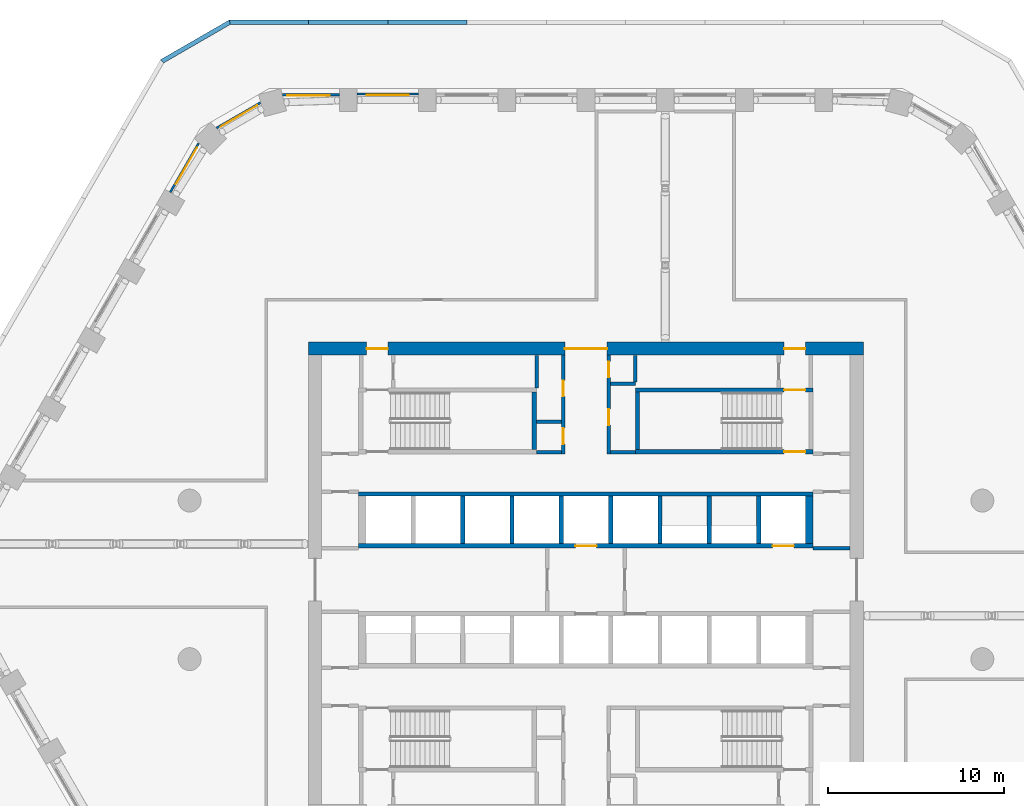
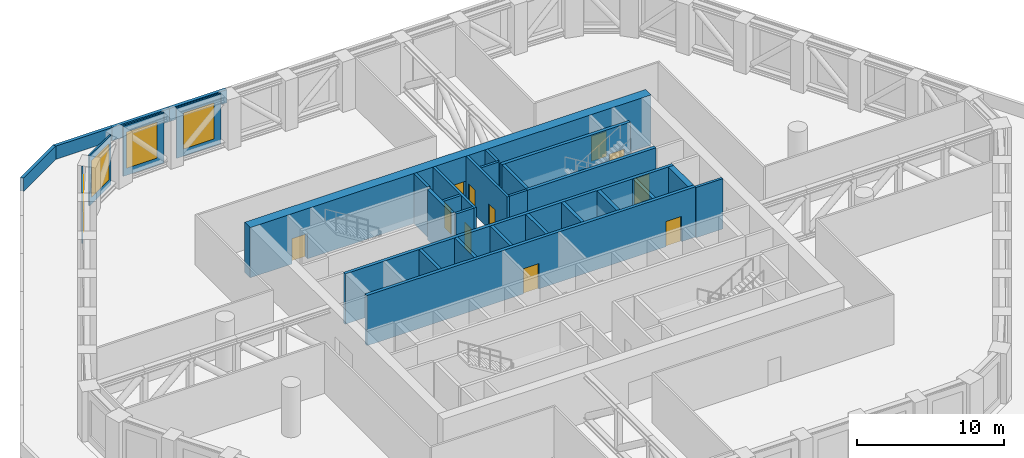
# One storey, part 9 of 18: 32 walls, 11 doors, 4 windows, 15 openings.
"""IFC4 building model written with IfcOpenShell, lengths in metres."""

from ifc_helpers import new_model, si_unit, direction, frame, frame_2d, origin, place, context, subcontext, project, spatial, polyline, rectangle, outline, extrude, material, layer, layer_set, type_object, element, fill, save


model = new_model("IFC4")

# Units and contexts
model_context = context("Model", 3, precision=1e-05, world=origin(), true_north=direction((0.0, 1.0)))
body_context = subcontext(model_context, "Body", "Model", "MODEL_VIEW")
ifc_project = project(units=[si_unit("LENGTHUNIT", "METRE"), si_unit("AREAUNIT", "SQUARE_METRE"), si_unit("VOLUMEUNIT", "CUBIC_METRE"), si_unit("PLANEANGLEUNIT", "RADIAN"), si_unit("MASSUNIT", "GRAM", prefix="KILO")], contexts=[model_context])

# Site, building, storey
site_placement = place(None, origin())
site = spatial("IfcSite", under=ifc_project, at=site_placement, CompositionType="ELEMENT")
building_placement = place(site_placement, origin())
building = spatial("IfcBuilding", under=site, at=building_placement, Name="Dhurran Vertical Campus", CompositionType="ELEMENT")
storey_placement = place(building_placement, frame((0.0, 0.0, 128.10009765625)))
storey = spatial("IfcBuildingStorey", under=building, at=storey_placement, Name="L31 Plant", CompositionType="ELEMENT", Elevation=128.10009765625)

# Wall, opening, window
ifc_material_1 = material(Name="Precast concrete C50/60", Category="concrete")
ifc_layer_1 = layer(ifc_material_1, 0.1201171875)
ifc_layer_set_1 = layer_set([ifc_layer_1], Name="Precast concrete C50/60")
wall_type_1 = type_object("IfcWallType", Name="Precast louvre-bay panel 120", PredefinedType="SOLIDWALL", material=ifc_layer_set_1)
wall_1_placement = place(storey_placement, frame((-9.50048828125, 27.577880859375, 0.0), z_axis=(0.0, 0.0, 1.0), x_axis=(-1.0, 0.0, 0.0)))
wall_1 = element("IfcWall", 1, at=wall_1_placement, inside=storey, type_object=wall_type_1, Name="EW4 L31.29", PredefinedType="SOLIDWALL", context=body_context, shape_type="SweptSolid", body=[
    extrude(rectangle(XDim=3.4990234375, YDim=0.1201171875, at=frame_2d((1.74951171875, 0.0))), origin(), (0.0, 0.0, 1.0), 4.1748046875),
])
opening_1_placement = place(wall_1_placement, frame((0.549560546875, 0.0, 0.60009765625)))
opening_1 = element("IfcOpeningElement", 2, at=opening_1_placement, cuts=wall_1, Name="Opening WT4", PredefinedType="OPENING", context=body_context, shape_type="SweptSolid", body=[
    extrude(rectangle(XDim=2.39990234375, YDim=3.0, at=frame_2d((1.199951171875, 1.5))), frame((0.0, 0.070068359375, 0.0), z_axis=(0.0, -1.0, 0.0), x_axis=(1.0, 0.0, 0.0)), (0.0, 0.0, 1.0), 0.14013671875),
])
ifc_material_2 = material(Name="Aluminium louvre", Category="aluminium")
window_type = type_object("IfcWindowType", Name="Louvred plant vent 2400 x 3000", PartitioningType="SINGLE_PANEL", PredefinedType="WINDOW", material=ifc_material_2)
window_1_placement = place(opening_1_placement, origin())
window_1 = element("IfcWindow", 3, at=window_1_placement, inside=storey, type_object=window_type, Name="WT4 L31.29", OverallHeight=3.0, OverallWidth=2.39990234375, PartitioningType="SINGLE_PANEL", PredefinedType="WINDOW", context=body_context, shape_type="SweptSolid", body=[
    extrude(rectangle(XDim=2.39990234375, YDim=3.0, at=frame_2d((1.199951171875, 1.5))), frame((0.0, 0.06005859375, 0.0), z_axis=(0.0, -1.0, 0.0), x_axis=(1.0, 0.0, 0.0)), (0.0, 0.0, 1.0), 0.02001953125),
])
fill(opening_1, window_1)

wall_2_placement = place(storey_placement, frame((-14.00048828125, 27.538818359375, 0.0), z_axis=(0.0, 0.0, 1.0), x_axis=(-1.0, 0.0, 0.0)))
wall_2 = element("IfcWall", 4, at=wall_2_placement, inside=storey, type_object=wall_type_1, Name="EW4 L31.30", PredefinedType="SOLIDWALL", context=body_context, shape_type="SweptSolid", body=[
    extrude(rectangle(XDim=3.218017578125, YDim=0.1201171875, at=frame_2d((1.60888671875, 0.0))), origin(), (0.0, 0.0, 1.0), 4.1748046875),
])
opening_2_placement = place(wall_2_placement, frame((0.549560546875, 0.0, 0.60009765625)))
opening_2 = element("IfcOpeningElement", 5, at=opening_2_placement, cuts=wall_2, Name="Opening WT4", PredefinedType="OPENING", context=body_context, shape_type="SweptSolid", body=[
    extrude(rectangle(XDim=2.39990234375, YDim=3.0, at=frame_2d((1.199951171875, 1.5))), frame((0.0, 0.070068359375, 0.0), z_axis=(0.0, -1.0, 0.0), x_axis=(1.0, 0.0, 0.0)), (0.0, 0.0, 1.0), 0.14013671875),
])
window_2_placement = place(opening_2_placement, origin())
window_2 = element("IfcWindow", 6, at=window_2_placement, inside=storey, type_object=window_type, Name="WT4 L31.30", OverallHeight=3.0, OverallWidth=2.39990234375, PartitioningType="SINGLE_PANEL", PredefinedType="WINDOW", context=body_context, shape_type="SweptSolid", body=[
    extrude(rectangle(XDim=2.39990234375, YDim=3.0, at=frame_2d((1.199951171875, 1.5))), frame((0.0, 0.06005859375, 0.0), z_axis=(0.0, -1.0, 0.0), x_axis=(1.0, 0.0, 0.0)), (0.0, 0.0, 1.0), 0.02001953125),
])
fill(opening_2, window_2)

wall_3_placement = place(storey_placement, frame((-18.47607421875, 27.087158203125, 0.0), z_axis=(0.0, 0.0, 1.0), x_axis=(-0.866033125095, -0.499986626058, 0.0)))
wall_3 = element("IfcWall", 7, at=wall_3_placement, inside=storey, type_object=wall_type_1, Name="EW4 L31.31", PredefinedType="SOLIDWALL", context=body_context, shape_type="SweptSolid", body=[
    extrude(rectangle(XDim=2.8798828125, YDim=0.1201171875, at=frame_2d((1.43994140625, 0.0))), origin(), (0.0, 0.0, 1.0), 4.1748046875),
])
opening_3_placement = place(wall_3_placement, frame((0.239990234375, 0.0, 0.60009765625)))
opening_3 = element("IfcOpeningElement", 8, at=opening_3_placement, cuts=wall_3, Name="Opening WT4", PredefinedType="OPENING", context=body_context, shape_type="SweptSolid", body=[
    extrude(rectangle(XDim=2.39990234375, YDim=3.0, at=frame_2d((1.199951171875, 1.5))), frame((0.0, 0.070068359375, 0.0), z_axis=(0.0, -1.0, 0.0), x_axis=(1.0, 0.0, 0.0)), (0.0, 0.0, 1.0), 0.14013671875),
])
window_3_placement = place(opening_3_placement, origin())
window_3 = element("IfcWindow", 9, at=window_3_placement, inside=storey, type_object=window_type, Name="WT4 L31.31", OverallHeight=3.0, OverallWidth=2.39990234375, PartitioningType="SINGLE_PANEL", PredefinedType="WINDOW", context=body_context, shape_type="SweptSolid", body=[
    extrude(rectangle(XDim=2.39990234375, YDim=3.0, at=frame_2d((1.199951171875, 1.5))), frame((0.0, 0.06005859375, 0.0), z_axis=(0.0, -1.0, 0.0), x_axis=(1.0, 0.0, 0.0)), (0.0, 0.0, 1.0), 0.02001953125),
])
fill(opening_3, window_3)

wall_4_placement = place(storey_placement, frame((-21.989990234375, 24.783935546875, 0.0), z_axis=(0.0, 0.0, 1.0), x_axis=(-0.500031105231, -0.866007444426, 0.0)))
wall_4 = element("IfcWall", 10, at=wall_4_placement, inside=storey, type_object=wall_type_1, Name="EW4 L31.32", PredefinedType="SOLIDWALL", context=body_context, shape_type="SweptSolid", body=[
    extrude(rectangle(XDim=3.218017578125, YDim=0.1201171875, at=frame_2d((1.60888671875, 0.0))), origin(), (0.0, 0.0, 1.0), 4.1748046875),
])
opening_4_placement = place(wall_4_placement, frame((0.2685546875, 0.0, 0.60009765625)))
opening_4 = element("IfcOpeningElement", 11, at=opening_4_placement, cuts=wall_4, Name="Opening WT4", PredefinedType="OPENING", context=body_context, shape_type="SweptSolid", body=[
    extrude(rectangle(XDim=2.39990234375, YDim=3.0, at=frame_2d((1.199951171875, 1.5))), frame((0.0, 0.070068359375, 0.0), z_axis=(0.0, -1.0, 0.0), x_axis=(1.0, 0.0, 0.0)), (0.0, 0.0, 1.0), 0.14013671875),
])
window_4_placement = place(opening_4_placement, origin())
window_4 = element("IfcWindow", 12, at=window_4_placement, inside=storey, type_object=window_type, Name="WT4 L31.32", OverallHeight=3.0, OverallWidth=2.39990234375, PartitioningType="SINGLE_PANEL", PredefinedType="WINDOW", context=body_context, shape_type="SweptSolid", body=[
    extrude(rectangle(XDim=2.39990234375, YDim=3.0, at=frame_2d((1.199951171875, 1.5))), frame((0.0, 0.06005859375, 0.0), z_axis=(0.0, -1.0, 0.0), x_axis=(1.0, 0.0, 0.0)), (0.0, 0.0, 1.0), 0.02001953125),
])
fill(opening_4, window_4)

# Walls
ifc_material_3 = material(Name="Precast concrete C50/60", Category="concrete")
ifc_layer_2 = layer(ifc_material_3, 0.25)
ifc_layer_set_2 = layer_set([ifc_layer_2], Name="Precast concrete C50/60")
wall_type_2 = type_object("IfcWallType", Name="Precast parapet 250", PredefinedType="PARAPET", material=ifc_layer_set_2)
wall_5_placement = place(storey_placement, origin())
element("IfcWall", 13, at=wall_5_placement, inside=storey, type_object=wall_type_2, Name="PW1 L31.32", PredefinedType="PARAPET", context=body_context, shape_type="SweptSolid", body=[
    extrude(outline(polyline([(-6.75, 31.77978515625), (-11.25, 31.77978515625), (-11.25, 31.52978515625), (-6.75, 31.52978515625), (-6.75, 31.77978515625)])), origin(), (0.0, 0.0, 1.0), 1.099853515625),
])
wall_6_placement = place(storey_placement, origin())
element("IfcWall", 14, at=wall_6_placement, inside=storey, type_object=wall_type_2, Name="PW1 L31.33", PredefinedType="PARAPET", context=body_context, shape_type="SweptSolid", body=[
    extrude(outline(polyline([(-11.25, 31.77978515625), (-15.75, 31.77978515625), (-15.75, 31.52978515625), (-11.25, 31.52978515625), (-11.25, 31.77978515625)])), origin(), (0.0, 0.0, 1.0), 1.099853515625),
])
wall_7_placement = place(storey_placement, origin())
element("IfcWall", 15, at=wall_7_placement, inside=storey, type_object=wall_type_2, Name="PW1 L31.34", PredefinedType="PARAPET", context=body_context, shape_type="SweptSolid", body=[
    extrude(outline(polyline([(-15.75, 31.77978515625), (-20.25, 31.77978515625), (-20.18310546875, 31.52978515625), (-15.75, 31.52978515625), (-15.75, 31.77978515625)])), origin(), (0.0, 0.0, 1.0), 1.099853515625),
])
wall_8_placement = place(storey_placement, origin())
element("IfcWall", 16, at=wall_8_placement, inside=storey, type_object=wall_type_2, Name="PW1 L31.35", PredefinedType="PARAPET", context=body_context, shape_type="SweptSolid", body=[
    extrude(outline(polyline([(-20.25, 31.77978515625), (-24.147216796875, 29.52978515625), (-23.964111328125, 29.3466796875), (-20.18310546875, 31.52978515625), (-20.25, 31.77978515625)])), origin(), (0.0, 0.0, 1.0), 1.099853515625),
])

# Wall, openings, doors
ifc_material_4 = material(Name="Concrete C60/75", Category="concrete")
ifc_layer_3 = layer(ifc_material_4, 0.75)
ifc_layer_set_3 = layer_set([ifc_layer_3], Name="Concrete C60/75")
wall_type_3 = type_object("IfcWallType", Name="co-CORE-WALL-C1-750", PredefinedType="SHEAR", material=ifc_layer_set_3)
wall_9_placement = place(storey_placement, frame((-15.75, 13.125, 0.0), z_axis=(0.0, 0.0, 1.0), x_axis=(1.0, 0.0, 0.0)))
wall_9 = element("IfcWall", 17, at=wall_9_placement, inside=storey, type_object=wall_type_3, Name="Core wall N L31", PredefinedType="SHEAR", context=body_context, shape_type="SweptSolid", body=[
    extrude(rectangle(XDim=31.5, YDim=0.75, at=frame_2d((15.75, 0.0))), origin(), (0.0, 0.0, 1.0), 4.1748046875),
])
opening_5_placement = place(wall_9_placement, frame((14.550048828125, 0.0, 0.0)))
opening_5 = element("IfcOpeningElement", 18, at=opening_5_placement, cuts=wall_9, Name="Opening CV1", PredefinedType="OPENING", context=body_context, shape_type="SweptSolid", body=[
    extrude(rectangle(XDim=2.39990234375, YDim=2.10009765625, at=frame_2d((1.199951171875, 1.050048828125))), frame((0.0, 0.385009765625, 0.0), z_axis=(0.0, -1.0, 0.0), x_axis=(1.0, 0.0, 0.0)), (0.0, 0.0, 1.0), 0.77001953125),
])
opening_6_placement = place(wall_9_placement, frame((3.300048828125, 0.0, 0.0)))
opening_6 = element("IfcOpeningElement", 19, at=opening_6_placement, cuts=wall_9, Name="Opening XD1", PredefinedType="OPENING", context=body_context, shape_type="SweptSolid", body=[
    extrude(rectangle(XDim=1.199951171875, YDim=2.10009765625, at=frame_2d((0.60009765625, 1.050048828125))), frame((0.0, 0.385009765625, 0.0), z_axis=(0.0, -1.0, 0.0), x_axis=(1.0, 0.0, 0.0)), (0.0, 0.0, 1.0), 0.77001953125),
])
opening_7_placement = place(wall_9_placement, frame((27.0, 0.0, 0.0)))
opening_7 = element("IfcOpeningElement", 20, at=opening_7_placement, cuts=wall_9, Name="Opening XD2", PredefinedType="OPENING", context=body_context, shape_type="SweptSolid", body=[
    extrude(rectangle(XDim=1.199951171875, YDim=2.10009765625, at=frame_2d((0.60009765625, 1.050048828125))), frame((0.0, 0.385009765625, 0.0), z_axis=(0.0, -1.0, 0.0), x_axis=(1.0, 0.0, 0.0)), (0.0, 0.0, 1.0), 0.77001953125),
])
ifc_material_5 = material(Name="Fire-rated glazed door set")
door_type_1 = type_object("IfcDoorType", Name="co-D-LOBBY 2400x2100", OperationType="DOUBLE_DOOR_DOUBLE_SWING", PredefinedType="DOOR", material=ifc_material_5)
door_1_placement = place(opening_5_placement, origin())
door_1 = element("IfcDoor", 21, at=door_1_placement, inside=storey, type_object=door_type_1, Name="Core vestibule door N L31", OperationType="DOUBLE_DOOR_DOUBLE_SWING", OverallHeight=2.10009765625, OverallWidth=2.39990234375, PredefinedType="DOOR", context=body_context, shape_type="SweptSolid", body=[
    extrude(rectangle(XDim=2.39990234375, YDim=2.10009765625, at=frame_2d((1.199951171875, 1.050048828125))), frame((0.0, 0.02490234375, 0.0), z_axis=(0.0, -1.0, 0.0), x_axis=(1.0, 0.0, 0.0)), (0.0, 0.0, 1.0), 0.050048828125),
])
fill(opening_5, door_1)
ifc_material_6 = material(Name="Fire-rated steel door set", Category="steel")
door_type_2 = type_object("IfcDoorType", Name="co-D-STAIR-EXIT 1200x2100", OperationType="SINGLE_SWING_RIGHT", PredefinedType="DOOR", material=ifc_material_6)
door_2_placement = place(opening_6_placement, origin())
door_2 = element("IfcDoor", 22, at=door_2_placement, inside=storey, type_object=door_type_2, Name="Stair ST1 exit door L31", OperationType="SINGLE_SWING_RIGHT", OverallHeight=2.10009765625, OverallWidth=1.199951171875, PredefinedType="DOOR", context=body_context, shape_type="SweptSolid", body=[
    extrude(rectangle(XDim=1.199951171875, YDim=2.10009765625, at=frame_2d((0.60009765625, 1.050048828125))), frame((0.0, 0.02490234375, 0.0), z_axis=(0.0, -1.0, 0.0), x_axis=(1.0, 0.0, 0.0)), (0.0, 0.0, 1.0), 0.050048828125),
])
fill(opening_6, door_2)
door_3_placement = place(opening_7_placement, origin())
door_3 = element("IfcDoor", 23, at=door_3_placement, inside=storey, type_object=door_type_2, Name="Stair ST2 exit door L31", OperationType="SINGLE_SWING_RIGHT", OverallHeight=2.10009765625, OverallWidth=1.199951171875, PredefinedType="DOOR", context=body_context, shape_type="SweptSolid", body=[
    extrude(rectangle(XDim=1.199951171875, YDim=2.10009765625, at=frame_2d((0.60009765625, 1.050048828125))), frame((0.0, 0.02490234375, 0.0), z_axis=(0.0, -1.0, 0.0), x_axis=(1.0, 0.0, 0.0)), (0.0, 0.0, 1.0), 0.050048828125),
])
fill(opening_7, door_3)

# Walls
ifc_material_7 = material(Name="Fire-rated masonry blockwork", Category="masonry")
ifc_layer_4 = layer(ifc_material_7, 0.199951171875)
ifc_layer_set_4 = layer_set([ifc_layer_4], Name="Fire-rated masonry blockwork")
wall_type_4 = type_object("IfcWallType", Name="co-FIRE-PARTITION-200", PredefinedType="PARTITIONING", material=ifc_layer_set_4)
for number, where, z_axis, x_axis, name in (
    (24, (-2.800048828125, 7.25, 0.0), (0.0, 0.0, 1.0), (1.0, 0.0, 0.0), "Core partition sl-NW-S L31"),
    (25, (-2.800048828125, 8.969970703125, 0.0), (0.0, 0.0, 1.0), (1.0, 0.0, 0.0), "Core partition sl-NW-cut0 L31"),
    (26, (1.39990234375, 7.25, 0.0), (0.0, 0.0, 1.0), (1.0, 0.0, 0.0), "Core partition sl-NE-S L31"),
    (27, (1.39990234375, 11.1298828125, 0.0), (0.0, 0.0, 1.0), (1.0, 0.0, 0.0), "Core partition sl-NE-cut0 L31"),
):
    element("IfcWall", number, at=place(storey_placement, frame(where, z_axis=z_axis, x_axis=x_axis)), inside=storey, type_object=wall_type_4, Name=name, PredefinedType="PARTITIONING", context=body_context, shape_type="SweptSolid", body=[
        extrude(rectangle(XDim=1.400146484375, YDim=0.199951171875, at=frame_2d((0.7001953125, 0.0))), origin(), (0.0, 0.0, 1.0), 4.1748046875),
    ])

# Wall, openings, doors
wall_10_placement = place(storey_placement, frame((-1.300048828125, 7.14990234375, 0.0), z_axis=(0.0, 0.0, 1.0), x_axis=(0.0, 1.0, 0.0)))
wall_10 = element("IfcWall", 28, at=wall_10_placement, inside=storey, type_object=wall_type_4, Name="Core partition vest-NW L31", PredefinedType="PARTITIONING", context=body_context, shape_type="SweptSolid", body=[
    extrude(rectangle(XDim=5.60009765625, YDim=0.199951171875, at=frame_2d((2.800048828125, 0.0))), origin(), (0.0, 0.0, 1.0), 4.1748046875),
])
opening_8_placement = place(wall_10_placement, frame((0.56005859375, 0.0, 0.0)))
opening_8 = element("IfcOpeningElement", 29, at=opening_8_placement, cuts=wall_10, Name="Opening BR31-C5", PredefinedType="OPENING", context=body_context, shape_type="SweptSolid", body=[
    extrude(rectangle(XDim=0.89990234375, YDim=2.10009765625, at=frame_2d((0.449951171875, 1.050048828125))), frame((0.0, 0.10986328125, 0.0), z_axis=(0.0, -1.0, 0.0), x_axis=(1.0, 0.0, 0.0)), (0.0, 0.0, 1.0), 0.219970703125),
])
opening_9_placement = place(wall_10_placement, frame((3.260009765625, 0.0, 0.0)))
opening_9 = element("IfcOpeningElement", 30, at=opening_9_placement, cuts=wall_10, Name="Opening BR31-C6", PredefinedType="OPENING", context=body_context, shape_type="SweptSolid", body=[
    extrude(rectangle(XDim=0.89990234375, YDim=2.10009765625, at=frame_2d((0.449951171875, 1.050048828125))), frame((0.0, 0.10986328125, 0.0), z_axis=(0.0, -1.0, 0.0), x_axis=(1.0, 0.0, 0.0)), (0.0, 0.0, 1.0), 0.219970703125),
])
ifc_material_8 = material(Name="Fire-rated timber door set", Category="wood")
door_type_3 = type_object("IfcDoorType", Name="co-D-ROOM 900x2100", OperationType="SINGLE_SWING_LEFT", PredefinedType="DOOR", material=ifc_material_8)
door_4_placement = place(opening_8_placement, origin())
door_4 = element("IfcDoor", 31, at=door_4_placement, inside=storey, type_object=door_type_3, Name="Transformer room door L31", OperationType="SINGLE_SWING_LEFT", OverallHeight=2.10009765625, OverallWidth=0.89990234375, PredefinedType="DOOR", context=body_context, shape_type="SweptSolid", body=[
    extrude(rectangle(XDim=0.89990234375, YDim=2.10009765625, at=frame_2d((0.449951171875, 1.050048828125))), frame((0.0, 0.02490234375, 0.0), z_axis=(0.0, -1.0, 0.0), x_axis=(1.0, 0.0, 0.0)), (0.0, 0.0, 1.0), 0.050048828125),
])
fill(opening_8, door_4)
door_5_placement = place(opening_9_placement, origin())
door_5 = element("IfcDoor", 32, at=door_5_placement, inside=storey, type_object=door_type_3, Name="Generator room door L31", OperationType="SINGLE_SWING_LEFT", OverallHeight=2.10009765625, OverallWidth=0.89990234375, PredefinedType="DOOR", context=body_context, shape_type="SweptSolid", body=[
    extrude(rectangle(XDim=0.89990234375, YDim=2.10009765625, at=frame_2d((0.449951171875, 1.050048828125))), frame((0.0, 0.02490234375, 0.0), z_axis=(0.0, -1.0, 0.0), x_axis=(1.0, 0.0, 0.0)), (0.0, 0.0, 1.0), 0.050048828125),
])
fill(opening_9, door_5)

wall_11_placement = place(storey_placement, frame((1.300048828125, 7.14990234375, 0.0), z_axis=(0.0, 0.0, 1.0), x_axis=(0.0, 1.0, 0.0)))
wall_11 = element("IfcWall", 33, at=wall_11_placement, inside=storey, type_object=wall_type_4, Name="Core partition vest-NE L31", PredefinedType="PARTITIONING", context=body_context, shape_type="SweptSolid", body=[
    extrude(rectangle(XDim=5.60009765625, YDim=0.199951171875, at=frame_2d((2.800048828125, 0.0))), origin(), (0.0, 0.0, 1.0), 4.1748046875),
])
opening_10_placement = place(wall_11_placement, frame((1.639892578125, 0.0, 0.0)))
opening_10 = element("IfcOpeningElement", 34, at=opening_10_placement, cuts=wall_11, Name="Opening BR31-C7", PredefinedType="OPENING", context=body_context, shape_type="SweptSolid", body=[
    extrude(rectangle(XDim=0.89990234375, YDim=2.10009765625, at=frame_2d((0.449951171875, 1.050048828125))), frame((0.0, 0.10986328125, 0.0), z_axis=(0.0, -1.0, 0.0), x_axis=(1.0, 0.0, 0.0)), (0.0, 0.0, 1.0), 0.219970703125),
])
opening_11_placement = place(wall_11_placement, frame((4.340087890625, 0.0, 0.0)))
opening_11 = element("IfcOpeningElement", 35, at=opening_11_placement, cuts=wall_11, Name="Opening BR31-C8", PredefinedType="OPENING", context=body_context, shape_type="SweptSolid", body=[
    extrude(rectangle(XDim=0.89990234375, YDim=2.10009765625, at=frame_2d((0.449951171875, 1.050048828125))), frame((0.0, 0.10986328125, 0.0), z_axis=(0.0, -1.0, 0.0), x_axis=(1.0, 0.0, 0.0)), (0.0, 0.0, 1.0), 0.219970703125),
])
door_6_placement = place(opening_10_placement, origin())
door_6 = element("IfcDoor", 36, at=door_6_placement, inside=storey, type_object=door_type_3, Name="Heat exchanger plant room door L31", OperationType="SINGLE_SWING_LEFT", OverallHeight=2.10009765625, OverallWidth=0.89990234375, PredefinedType="DOOR", context=body_context, shape_type="SweptSolid", body=[
    extrude(rectangle(XDim=0.89990234375, YDim=2.10009765625, at=frame_2d((0.449951171875, 1.050048828125))), frame((0.0, 0.02490234375, 0.0), z_axis=(0.0, -1.0, 0.0), x_axis=(1.0, 0.0, 0.0)), (0.0, 0.0, 1.0), 0.050048828125),
])
fill(opening_10, door_6)
door_7_placement = place(opening_11_placement, origin())
door_7 = element("IfcDoor", 37, at=door_7_placement, inside=storey, type_object=door_type_3, Name="Chiller plant room door L31", OperationType="SINGLE_SWING_LEFT", OverallHeight=2.10009765625, OverallWidth=0.89990234375, PredefinedType="DOOR", context=body_context, shape_type="SweptSolid", body=[
    extrude(rectangle(XDim=0.89990234375, YDim=2.10009765625, at=frame_2d((0.449951171875, 1.050048828125))), frame((0.0, 0.02490234375, 0.0), z_axis=(0.0, -1.0, 0.0), x_axis=(1.0, 0.0, 0.0)), (0.0, 0.0, 1.0), 0.050048828125),
])
fill(opening_11, door_7)

# Walls
wall_12_placement = place(storey_placement, frame((12.89990234375, 1.800048828125, 0.0), z_axis=(0.0, 0.0, 1.0), x_axis=(1.0, 0.0, 0.0)))
element("IfcWall", 38, at=wall_12_placement, inside=storey, type_object=wall_type_4, Name="Core partition es-NE-l L31", PredefinedType="PARTITIONING", context=body_context, shape_type="SweptSolid", body=[
    extrude(rectangle(XDim=2.10009765625, YDim=0.199951171875, at=frame_2d((1.050048828125, 0.0))), origin(), (0.0, 0.0, 1.0), 4.1748046875),
])
wall_13_placement = place(storey_placement, frame((-2.800048828125, 10.90087890625, 0.0), z_axis=(0.0, 0.0, 1.0), x_axis=(0.0, 1.0, 0.0)))
element("IfcWall", 39, at=wall_13_placement, inside=storey, type_object=wall_type_4, Name="Riser enclosure wall L31", PredefinedType="PARTITIONING", context=body_context, shape_type="SweptSolid", body=[
    extrude(rectangle(XDim=1.84814453125, YDim=0.199951171875, at=frame_2d((0.924072265625, 0.0))), origin(), (0.0, 0.0, 1.0), 4.1748046875),
])
wall_14_placement = place(storey_placement, frame((2.800048828125, 12.7490234375, 0.0), z_axis=(0.0, 0.0, 1.0), x_axis=(0.0, -1.0, 0.0)))
element("IfcWall", 40, at=wall_14_placement, inside=storey, type_object=wall_type_4, Name="Riser enclosure wall L31", PredefinedType="PARTITIONING", context=body_context, shape_type="SweptSolid", body=[
    extrude(rectangle(XDim=1.51806640625, YDim=0.199951171875, at=frame_2d((0.759033203125, 0.0))), origin(), (0.0, 0.0, 1.0), 4.1748046875),
])

# Wall, openings, doors
ifc_material_9 = material(Name="Concrete C50/60", Category="concrete")
ifc_layer_5 = layer(ifc_material_9, 0.25)
ifc_layer_set_5 = layer_set([ifc_layer_5], Name="Concrete C50/60")
wall_type_5 = type_object("IfcWallType", Name="co-SHAFT-FRONT-250", PredefinedType="SHEAR", material=ifc_layer_set_5)
wall_15_placement = place(storey_placement, frame((-12.89990234375, 1.925048828125, 0.0), z_axis=(0.0, 0.0, 1.0), x_axis=(1.0, 0.0, 0.0)))
wall_15 = element("IfcWall", 41, at=wall_15_placement, inside=storey, type_object=wall_type_5, Name="Lift landing wall N L31", PredefinedType="SHEAR", context=body_context, shape_type="SweptSolid", body=[
    extrude(rectangle(XDim=25.7998046875, YDim=0.25, at=frame_2d((12.89990234375, 0.0))), origin(), (0.0, 0.0, 1.0), 4.1748046875),
])
opening_12_placement = place(wall_15_placement, frame((12.300048828125, 0.0, 0.0)))
opening_12 = element("IfcOpeningElement", 42, at=opening_12_placement, cuts=wall_15, Name="Opening LD", PredefinedType="OPENING", context=body_context, shape_type="SweptSolid", body=[
    extrude(rectangle(XDim=1.199951171875, YDim=2.10009765625, at=frame_2d((0.60009765625, 1.050048828125))), frame((0.0, 0.135009765625, 0.0), z_axis=(0.0, -1.0, 0.0), x_axis=(1.0, 0.0, 0.0)), (0.0, 0.0, 1.0), 0.27001953125),
])
opening_13_placement = place(wall_15_placement, frame((23.5, 0.0, 0.0)))
opening_13 = element("IfcOpeningElement", 43, at=opening_13_placement, cuts=wall_15, Name="Opening LD", PredefinedType="OPENING", context=body_context, shape_type="SweptSolid", body=[
    extrude(rectangle(XDim=1.199951171875, YDim=2.10009765625, at=frame_2d((0.60009765625, 1.050048828125))), frame((0.0, 0.135009765625, 0.0), z_axis=(0.0, -1.0, 0.0), x_axis=(1.0, 0.0, 0.0)), (0.0, 0.0, 1.0), 0.27001953125),
])
ifc_material_10 = material(Name="Stainless steel landing door", Category="steel")
door_type_4 = type_object("IfcDoorType", Name="co-D-LANDING 1200x2100", OperationType="DOUBLE_DOOR_SLIDING", PredefinedType="DOOR", material=ifc_material_10)
door_8_placement = place(opening_12_placement, origin())
door_8 = element("IfcDoor", 44, at=door_8_placement, inside=storey, type_object=door_type_4, Name="Landing door FF1 L31", OperationType="DOUBLE_DOOR_SLIDING", OverallHeight=2.10009765625, OverallWidth=1.199951171875, PredefinedType="DOOR", context=body_context, shape_type="SweptSolid", body=[
    extrude(rectangle(XDim=1.199951171875, YDim=2.10009765625, at=frame_2d((0.60009765625, 1.050048828125))), frame((0.0, 0.02490234375, 0.0), z_axis=(0.0, -1.0, 0.0), x_axis=(1.0, 0.0, 0.0)), (0.0, 0.0, 1.0), 0.050048828125),
])
fill(opening_12, door_8)
door_9_placement = place(opening_13_placement, origin())
door_9 = element("IfcDoor", 45, at=door_9_placement, inside=storey, type_object=door_type_4, Name="Landing door SV2 L31", OperationType="DOUBLE_DOOR_SLIDING", OverallHeight=2.10009765625, OverallWidth=1.199951171875, PredefinedType="DOOR", context=body_context, shape_type="SweptSolid", body=[
    extrude(rectangle(XDim=1.199951171875, YDim=2.10009765625, at=frame_2d((0.60009765625, 1.050048828125))), frame((0.0, 0.02490234375, 0.0), z_axis=(0.0, -1.0, 0.0), x_axis=(1.0, 0.0, 0.0)), (0.0, 0.0, 1.0), 0.050048828125),
])
fill(opening_13, door_9)

# Walls
ifc_material_11 = material(Name="Concrete C50/60", Category="concrete")
ifc_layer_6 = layer(ifc_material_11, 0.25)
ifc_layer_set_6 = layer_set([ifc_layer_6], Name="Concrete C50/60")
wall_type_6 = type_object("IfcWallType", Name="co-SHAFT-MASS-250", PredefinedType="SHEAR", material=ifc_layer_set_6)
wall_16_placement = place(storey_placement, origin())
element("IfcWall", 46, at=wall_16_placement, inside=storey, type_object=wall_type_6, Name="Lift shaft wall N L31 1", PredefinedType="SHEAR", context=body_context, shape_type="SweptSolid", body=[
    extrude(outline(polyline([(-12.89990234375, 4.75), (12.89990234375, 4.75), (12.89990234375, 5.0), (-12.89990234375, 5.0), (-12.89990234375, 4.75)])), origin(), (0.0, 0.0, 1.0), 4.1748046875),
])
wall_17_placement = place(storey_placement, origin())
element("IfcWall", 47, at=wall_17_placement, inside=storey, type_object=wall_type_6, Name="Lift shaft wall N L31 4", PredefinedType="SHEAR", context=body_context, shape_type="SweptSolid", body=[
    extrude(outline(polyline([(-7.125, 2.050048828125), (-6.875, 2.050048828125), (-6.875, 4.75), (-7.125, 4.75), (-7.125, 2.050048828125)])), origin(), (0.0, 0.0, 1.0), 4.1748046875),
])
wall_18_placement = place(storey_placement, origin())
element("IfcWall", 48, at=wall_18_placement, inside=storey, type_object=wall_type_6, Name="Lift shaft wall N L31 5", PredefinedType="SHEAR", context=body_context, shape_type="SweptSolid", body=[
    extrude(outline(polyline([(-4.324951171875, 2.050048828125), (-4.074951171875, 2.050048828125), (-4.074951171875, 4.75), (-4.324951171875, 4.75), (-4.324951171875, 2.050048828125)])), origin(), (0.0, 0.0, 1.0), 4.1748046875),
])
wall_19_placement = place(storey_placement, origin())
element("IfcWall", 49, at=wall_19_placement, inside=storey, type_object=wall_type_6, Name="Lift shaft wall N L31 6", PredefinedType="SHEAR", context=body_context, shape_type="SweptSolid", body=[
    extrude(outline(polyline([(-1.52490234375, 2.050048828125), (-1.27490234375, 2.050048828125), (-1.27490234375, 4.75), (-1.52490234375, 4.75), (-1.52490234375, 2.050048828125)])), origin(), (0.0, 0.0, 1.0), 4.1748046875),
])
wall_20_placement = place(storey_placement, origin())
element("IfcWall", 50, at=wall_20_placement, inside=storey, type_object=wall_type_6, Name="Lift shaft wall N L31 7", PredefinedType="SHEAR", context=body_context, shape_type="SweptSolid", body=[
    extrude(outline(polyline([(1.27490234375, 2.050048828125), (1.52490234375, 2.050048828125), (1.52490234375, 4.75), (1.27490234375, 4.75), (1.27490234375, 2.050048828125)])), origin(), (0.0, 0.0, 1.0), 4.1748046875),
])
wall_21_placement = place(storey_placement, origin())
element("IfcWall", 51, at=wall_21_placement, inside=storey, type_object=wall_type_6, Name="Lift shaft wall N L31 8", PredefinedType="SHEAR", context=body_context, shape_type="SweptSolid", body=[
    extrude(outline(polyline([(4.074951171875, 2.050048828125), (4.324951171875, 2.050048828125), (4.324951171875, 4.75), (4.074951171875, 4.75), (4.074951171875, 2.050048828125)])), origin(), (0.0, 0.0, 1.0), 4.1748046875),
])
wall_22_placement = place(storey_placement, origin())
element("IfcWall", 52, at=wall_22_placement, inside=storey, type_object=wall_type_6, Name="Lift shaft wall N L31 9", PredefinedType="SHEAR", context=body_context, shape_type="SweptSolid", body=[
    extrude(outline(polyline([(6.875, 2.050048828125), (7.125, 2.050048828125), (7.125, 4.75), (6.875, 4.75), (6.875, 2.050048828125)])), origin(), (0.0, 0.0, 1.0), 4.1748046875),
])
wall_23_placement = place(storey_placement, origin())
element("IfcWall", 53, at=wall_23_placement, inside=storey, type_object=wall_type_6, Name="Lift shaft wall N L31 10", PredefinedType="SHEAR", context=body_context, shape_type="SweptSolid", body=[
    extrude(outline(polyline([(9.675048828125, 2.050048828125), (9.925048828125, 2.050048828125), (9.925048828125, 4.75), (9.675048828125, 4.75), (9.675048828125, 2.050048828125)])), origin(), (0.0, 0.0, 1.0), 4.1748046875),
])
wall_24_placement = place(storey_placement, origin())
element("IfcWall", 54, at=wall_24_placement, inside=storey, type_object=wall_type_6, Name="Lift shaft wall N L31 11", PredefinedType="SHEAR", context=body_context, shape_type="SweptSolid", body=[
    extrude(outline(polyline([(12.47509765625, 2.050048828125), (12.89990234375, 2.050048828125), (12.89990234375, 4.75), (12.47509765625, 4.75), (12.47509765625, 2.050048828125)])), origin(), (0.0, 0.0, 1.0), 4.1748046875),
])
ifc_material_12 = material(Name="Concrete C40/50", Category="concrete")
ifc_layer_7 = layer(ifc_material_12, 0.25)
ifc_layer_set_7 = layer_set([ifc_layer_7], Name="Concrete C40/50")
wall_type_7 = type_object("IfcWallType", Name="co-STAIR-WALL-250", PredefinedType="SHEAR", material=ifc_layer_set_7)
wall_25_placement = place(storey_placement, frame((-2.925048828125, 7.39990234375, 0.0), z_axis=(0.0, 0.0, 1.0), x_axis=(0.0, 1.0, 0.0)))
element("IfcWall", 55, at=wall_25_placement, inside=storey, type_object=wall_type_7, Name="Stair ST1 enclosure wall L31", PredefinedType="SHEAR", context=body_context, shape_type="SweptSolid", body=[
    extrude(rectangle(XDim=3.25, YDim=0.25, at=frame_2d((1.625, 0.0))), origin(), (0.0, 0.0, 1.0), 4.1748046875),
])

# Wall, opening, door
wall_26_placement = place(storey_placement, frame((2.800048828125, 7.27490234375, 0.0), z_axis=(0.0, 0.0, 1.0), x_axis=(1.0, 0.0, 0.0)))
wall_26 = element("IfcWall", 56, at=wall_26_placement, inside=storey, type_object=wall_type_7, Name="Stair ST2 enclosure wall L31", PredefinedType="SHEAR", context=body_context, shape_type="SweptSolid", body=[
    extrude(rectangle(XDim=10.099853515625, YDim=0.25, at=frame_2d((5.0498046875, 0.0))), origin(), (0.0, 0.0, 1.0), 4.1748046875),
])
opening_14_placement = place(wall_26_placement, frame((8.449951171875, 0.0, 0.0)))
opening_14 = element("IfcOpeningElement", 57, at=opening_14_placement, cuts=wall_26, Name="Opening SD2", PredefinedType="OPENING", context=body_context, shape_type="SweptSolid", body=[
    extrude(rectangle(XDim=1.199951171875, YDim=2.10009765625, at=frame_2d((0.60009765625, 1.050048828125))), frame((0.0, 0.135009765625, 0.0), z_axis=(0.0, -1.0, 0.0), x_axis=(1.0, 0.0, 0.0)), (0.0, 0.0, 1.0), 0.27001953125),
])
ifc_material_13 = material(Name="Fire-rated steel door set", Category="steel")
door_type_5 = type_object("IfcDoorType", Name="co-D-STAIR 1200x2100", OperationType="SINGLE_SWING_LEFT", PredefinedType="DOOR", material=ifc_material_13)
door_10_placement = place(opening_14_placement, origin())
door_10 = element("IfcDoor", 58, at=door_10_placement, inside=storey, type_object=door_type_5, Name="Stair ST2 door L31", OperationType="SINGLE_SWING_LEFT", OverallHeight=2.10009765625, OverallWidth=1.199951171875, PredefinedType="DOOR", context=body_context, shape_type="SweptSolid", body=[
    extrude(rectangle(XDim=1.199951171875, YDim=2.10009765625, at=frame_2d((0.60009765625, 1.050048828125))), frame((0.0, 0.02490234375, 0.0), z_axis=(0.0, -1.0, 0.0), x_axis=(1.0, 0.0, 0.0)), (0.0, 0.0, 1.0), 0.050048828125),
])
fill(opening_14, door_10)

wall_27_placement = place(storey_placement, frame((2.800048828125, 10.77490234375, 0.0), z_axis=(0.0, 0.0, 1.0), x_axis=(1.0, 0.0, 0.0)))
wall_27 = element("IfcWall", 59, at=wall_27_placement, inside=storey, type_object=wall_type_7, Name="Stair ST2 enclosure wall L31", PredefinedType="SHEAR", context=body_context, shape_type="SweptSolid", body=[
    extrude(rectangle(XDim=10.099853515625, YDim=0.25, at=frame_2d((5.0498046875, 0.0))), origin(), (0.0, 0.0, 1.0), 4.1748046875),
])
opening_15_placement = place(wall_27_placement, frame((8.449951171875, 0.0, 0.0)))
opening_15 = element("IfcOpeningElement", 60, at=opening_15_placement, cuts=wall_27, Name="Opening XS2", PredefinedType="OPENING", context=body_context, shape_type="SweptSolid", body=[
    extrude(rectangle(XDim=1.199951171875, YDim=2.10009765625, at=frame_2d((0.60009765625, 1.050048828125))), frame((0.0, 0.135009765625, 0.0), z_axis=(0.0, -1.0, 0.0), x_axis=(1.0, 0.0, 0.0)), (0.0, 0.0, 1.0), 0.27001953125),
])
door_11_placement = place(opening_15_placement, origin())
door_11 = element("IfcDoor", 61, at=door_11_placement, inside=storey, type_object=door_type_2, Name="Stair ST2 discharge door L31", OperationType="SINGLE_SWING_RIGHT", OverallHeight=2.10009765625, OverallWidth=1.199951171875, PredefinedType="DOOR", context=body_context, shape_type="SweptSolid", body=[
    extrude(rectangle(XDim=1.199951171875, YDim=2.10009765625, at=frame_2d((0.60009765625, 1.050048828125))), frame((0.0, 0.02490234375, 0.0), z_axis=(0.0, -1.0, 0.0), x_axis=(1.0, 0.0, 0.0)), (0.0, 0.0, 1.0), 0.050048828125),
])
fill(opening_15, door_11)

# Wall
wall_28_placement = place(storey_placement, frame((2.925048828125, 7.39990234375, 0.0), z_axis=(0.0, 0.0, 1.0), x_axis=(0.0, 1.0, 0.0)))
element("IfcWall", 62, at=wall_28_placement, inside=storey, type_object=wall_type_7, Name="Stair ST2 enclosure wall L31", PredefinedType="SHEAR", context=body_context, shape_type="SweptSolid", body=[
    extrude(rectangle(XDim=3.25, YDim=0.25, at=frame_2d((1.625, 0.0))), origin(), (0.0, 0.0, 1.0), 4.1748046875),
])

save(model, "model.ifc")
